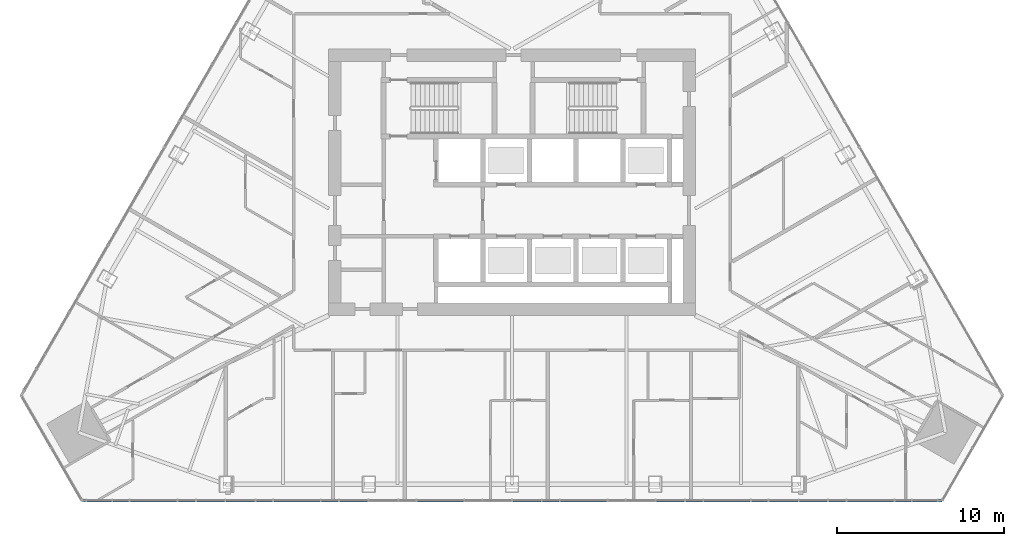
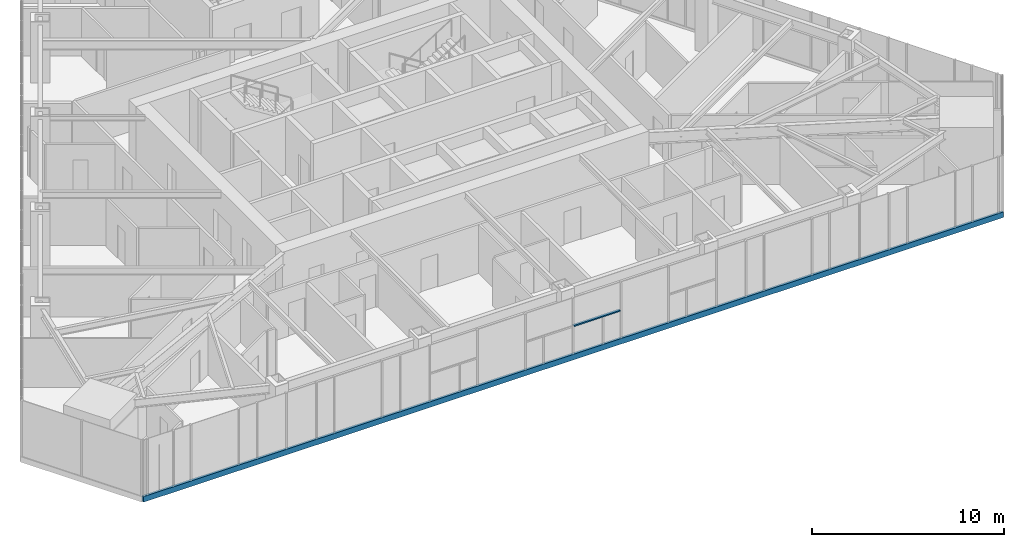
# One storey, part 3 of 24: 2 members, 1 element without a shape of its own.
"""IFC4 building model written with IfcOpenShell, lengths in metres."""

from ifc_helpers import new_model, si_unit, direction, frame, origin, origin_2d, place, context, subcontext, project, spatial, rectangle, extrude, material, layer, layer_set, material_profile, profile_set, type_object, element, aggregate, save


model = new_model("IFC4")

# Units and contexts
model_context = context("Model", 3, precision=1e-05, world=origin(), true_north=direction((0.0, 1.0)))
body_context = subcontext(model_context, "Body", "Model", "MODEL_VIEW")
ifc_project = project(units=[si_unit("LENGTHUNIT", "METRE"), si_unit("AREAUNIT", "SQUARE_METRE"), si_unit("VOLUMEUNIT", "CUBIC_METRE"), si_unit("PLANEANGLEUNIT", "RADIAN"), si_unit("MASSUNIT", "GRAM", prefix="KILO")], contexts=[model_context])

# Site, building, storey
site_placement = place(None, origin())
site = spatial("IfcSite", under=ifc_project, at=site_placement, CompositionType="ELEMENT")
building_placement = place(site_placement, origin())
building = spatial("IfcBuilding", under=site, at=building_placement, Name="Firuza Gate Tower and Library", CompositionType="ELEMENT")
storey_placement = place(building_placement, frame((0.0, 0.0, 206.5)))
storey = spatial("IfcBuildingStorey", under=building, at=storey_placement, Name="L48", CompositionType="ELEMENT", Elevation=206.5)

# Curtain wall, members
ifc_material_1 = material(Name="Aluminium 6063-T6", Category="aluminium")
ifc_layer = layer(ifc_material_1, 0.14990234375)
ifc_layer_set = layer_set([ifc_layer], Name="Unitised curtain wall, hotel")
curtain_wall_type = type_object("IfcCurtainWallType", Name="Unitised curtain wall, hotel", PredefinedType="NOTDEFINED", material=ifc_layer_set)
curtain_wall_placement = place(storey_placement, origin())
curtain_wall = element("IfcCurtainWall", 1, at=curtain_wall_placement, inside=storey, type_object=curtain_wall_type, Name="CW2 L48 S face", PredefinedType="NOTDEFINED")
ifc_material_2 = material(Name="Aluminium 6063-T6", Category="aluminium")
ifc_material_profile_1 = material_profile(ifc_material_2, rectangle(XDim=0.14990234375, YDim=0.35009765625, at=origin_2d()))
ifc_profile_set_1 = profile_set([ifc_material_profile_1], Name="Aluminium 6063-T6")
member_type_1 = type_object("IfcMemberType", Name="Curtain wall transom 350x150", PredefinedType="USERDEFINED", material=ifc_profile_set_1)
member_1_placement = place(storey_placement, frame((49.175537109375, 55.88330078125, -0.02490234375), z_axis=(1.0, 0.0, 0.0), x_axis=(0.0, 1.0, 0.0)))
member_1 = element("IfcMember", 2, at=member_1_placement, type_object=member_type_1, Name="Transom", ObjectType="TRANSOM", PredefinedType="USERDEFINED", context=body_context, shape_type="SweptSolid", body=[
    extrude(rectangle(XDim=0.14990234375, YDim=0.35009765625, at=origin_2d()), origin(), (0.0, 0.0, 1.0), 51.64892578125),
])
ifc_material_3 = material(Name="Aluminium 6063-T6", Category="aluminium")
ifc_material_profile_2 = material_profile(ifc_material_3, rectangle(XDim=0.14990234375, YDim=0.080078125, at=origin_2d()))
ifc_profile_set_2 = profile_set([ifc_material_profile_2], Name="Aluminium 6063-T6")
member_type_2 = type_object("IfcMemberType", Name="Curtain wall transom 80x150", PredefinedType="USERDEFINED", material=ifc_profile_set_2)
member_2_placement = place(storey_placement, frame((75.0400390625, 55.88330078125, 1.925048828125), z_axis=(1.0, 0.0, 0.0), x_axis=(0.0, 1.0, 0.0)))
member_2 = element("IfcMember", 3, at=member_2_placement, type_object=member_type_2, Name="Transom", ObjectType="TRANSOM", PredefinedType="USERDEFINED", context=body_context, shape_type="SweptSolid", body=[
    extrude(rectangle(XDim=0.14990234375, YDim=0.080078125, at=origin_2d()), origin(), (0.0, 0.0, 1.0), 2.789306640625),
])
aggregate(curtain_wall, [member_1, member_2])

save(model, "model.ifc")
